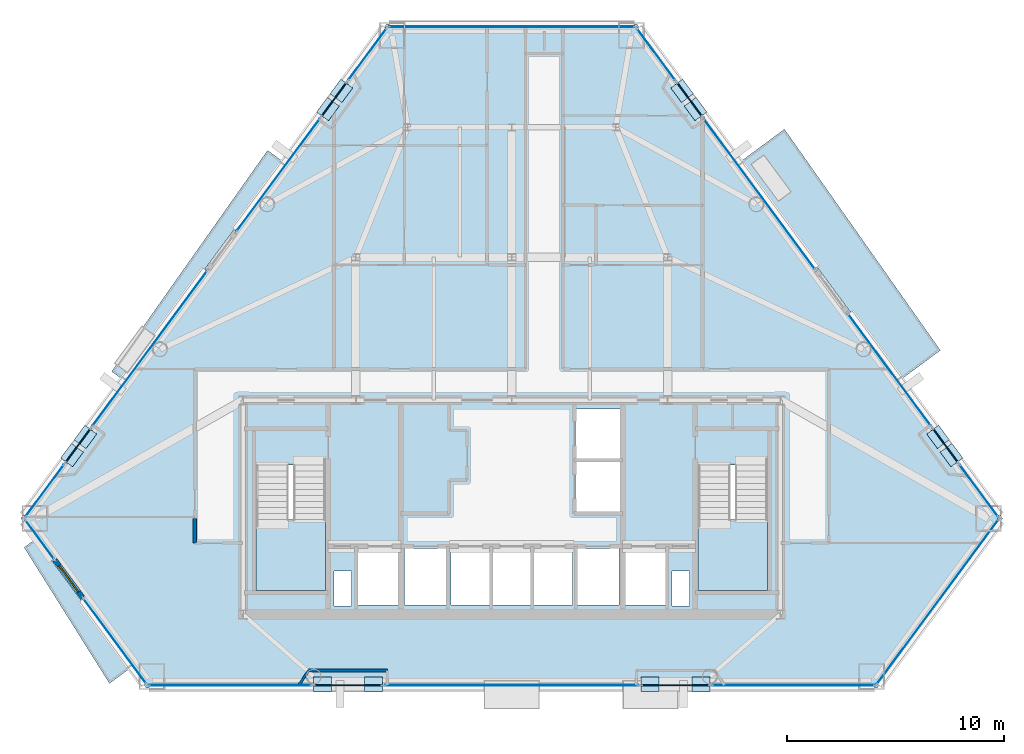
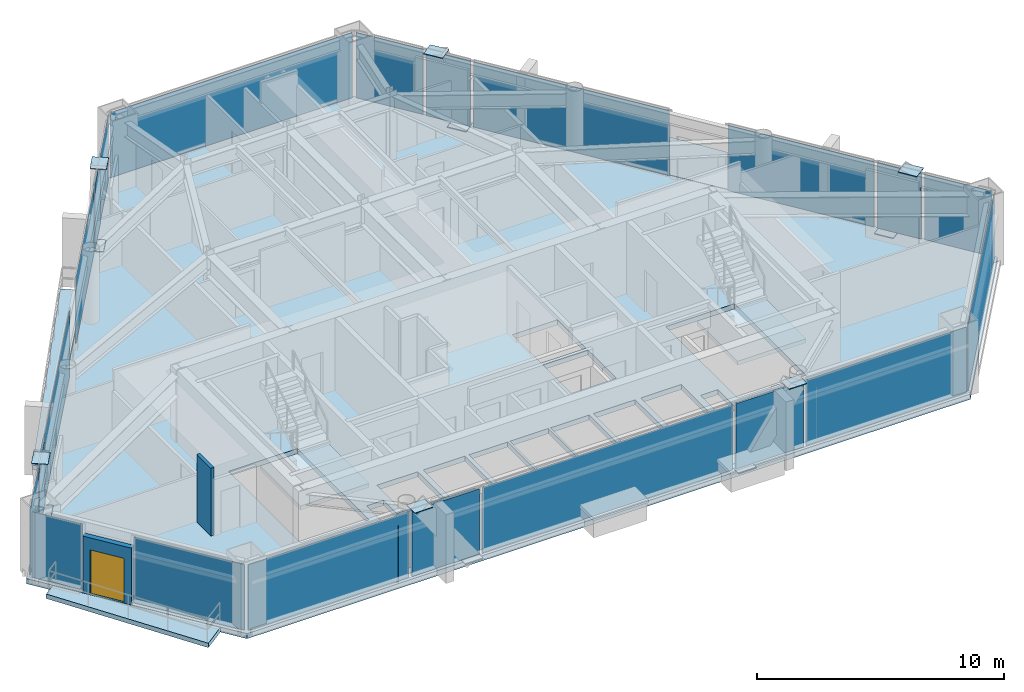
# One storey, part 6 of 11: 33 plates, 6 slabs, 4 walls, 1 door, 1 opening, 23 elements without a shape of their own.
"""IFC4 building model written with IfcOpenShell, lengths in metres."""

from ifc_helpers import new_model, si_unit, direction, frame, frame_2d, origin, origin_2d, place, context, subcontext, project, spatial, polyline, rectangle, outline, extrude, source, transform, mapped, material, layer, layer_set, type_object, type_shapes, element, fill, aggregate, save


model = new_model("IFC4")

# Units and contexts
model_context = context("Model", 3, precision=1e-05, world=origin(), true_north=direction((0.0, 1.0)))
body_context = subcontext(model_context, "Body", "Model", "MODEL_VIEW")
ifc_project = project(units=[si_unit("LENGTHUNIT", "METRE"), si_unit("AREAUNIT", "SQUARE_METRE"), si_unit("VOLUMEUNIT", "CUBIC_METRE"), si_unit("PLANEANGLEUNIT", "RADIAN"), si_unit("MASSUNIT", "GRAM", prefix="KILO")], contexts=[model_context])

# Site, building, storey
site_placement = place(None, origin())
site = spatial("IfcSite", under=ifc_project, at=site_placement, CompositionType="ELEMENT")
building_placement = place(site_placement, origin())
building = spatial("IfcBuilding", under=site, at=building_placement, Name="Talgorran Terracotta Tower", CompositionType="ELEMENT")
storey_placement = place(building_placement, frame((0.0, 0.0, 122.10009765625)))
storey = spatial("IfcBuildingStorey", under=building, at=storey_placement, Name="L31", CompositionType="ELEMENT", Elevation=122.10009765625)

# Plates
ifc_material_1 = material(Name="Steel Grade 350 (350L0)", Category="steel")
ifc_layer_1 = layer(ifc_material_1, 0.035888671875, Name="PL_CAP_MN06")
ifc_layer_set_1 = layer_set([ifc_layer_1], Name="Steel Grade 350 (350L0)")
plate_type_1 = type_object("IfcPlateType", Name="PL_CAP_MN06", PredefinedType="USERDEFINED", material=ifc_layer_set_1)
for number, where, z_axis, x_axis, name in (
    (1, (-6.3837890625, -17.3232421875, -0.0078125), (0.0, 0.0, 1.0), (-1.0, 0.0, 0.0), "L31 Diagonal Frame End Cap SWF Bot"),
    (2, (-8.73583984375, -17.3232421875, 3.32177734375), (0.0, 0.0, 1.0), (-1.0, 0.0, 0.0), "L31 Diagonal Frame End Cap SWF Top"),
    (3, (6.3837890625, -17.3232421875, -0.0078125), (0.0, 0.0, 1.0), (1.0, 0.0, 0.0), "L31 Diagonal Frame End Cap SEF Bot"),
    (4, (8.73583984375, -17.3232421875, 3.32177734375), (0.0, 0.0, 1.0), (1.0, 0.0, 0.0), "L31 Diagonal Frame End Cap SEF Top"),
    (5, (19.683837890625, -5.899658203125, -0.0078125), (0.0, 0.0, 1.0), (0.594682478203, -0.803960664534, 0.0), "L31 Diagonal Frame End Cap NEL Bot"),
    (6, (20.303955078125, -6.73828125, 3.32177734375), (0.0, 0.0, 1.0), (0.594682478203, -0.803960664534, 0.0), "L31 Diagonal Frame End Cap NEL Top"),
    (7, (8.486572265625, 9.23974609375, -0.0078125), (0.0, 0.0, 1.0), (-0.594682478203, 0.803960664534, 0.0), "L31 Diagonal Frame End Cap NEU Bot"),
    (8, (7.8662109375, 10.078369140625, 3.32177734375), (0.0, 0.0, 1.0), (-0.594682478203, 0.803960664534, 0.0), "L31 Diagonal Frame End Cap NEU Top"),
    (9, (-8.486572265625, 9.23974609375, -0.0078125), (0.0, 0.0, 1.0), (0.594682478203, 0.803960664534, 0.0), "L31 Diagonal Frame End Cap NWU Bot"),
    (10, (-7.8662109375, 10.078369140625, 3.32177734375), (0.0, 0.0, 1.0), (0.594682478203, 0.803960664534, 0.0), "L31 Diagonal Frame End Cap NWU Top"),
    (11, (-19.683837890625, -5.899658203125, -0.0078125), (0.0, 0.0, 1.0), (-0.594682478203, -0.803960664534, 0.0), "L31 Diagonal Frame End Cap NWL Bot"),
    (12, (-20.303955078125, -6.73828125, 3.32177734375), (0.0, 0.0, 1.0), (-0.594682478203, -0.803960664534, 0.0), "L31 Diagonal Frame End Cap NWL Top"),
):
    element("IfcPlate", number, at=place(storey_placement, frame(where, z_axis=z_axis, x_axis=x_axis)), inside=storey, type_object=plate_type_1, Name=name, ObjectType="CAP PLATE", PredefinedType="USERDEFINED", context=body_context, shape_type="SweptSolid", body=[
        extrude(rectangle(XDim=0.840087890625, YDim=0.679931640625, at=origin_2d()), origin(), (0.0, 0.0, 1.0), 0.035888671875),
    ])

# Slabs
ifc_material_2 = material(Name="Concrete C40/50", Category="concrete")
ifc_layer_2 = layer(ifc_material_2, 0.219970703125, Name="SL_BALCONY_220")
ifc_layer_set_2 = layer_set([ifc_layer_2], Name="Concrete C40/50")
slab_type_1 = type_object("IfcSlabType", Name="SL_BALCONY_220", PredefinedType="FLOOR", material=ifc_layer_set_2)
slab_1_placement = place(storey_placement, frame((0.0, 0.0, -0.22021484375)))
element("IfcSlab", 13, at=slab_1_placement, inside=storey, type_object=slab_type_1, Name="L31 Outdoor Wave Balcony BAL-NE", PredefinedType="FLOOR", context=body_context, shape_type="SweptSolid", body=[
    extrude(outline(polyline([(10.523193359375, 6.780029296875), (17.95068359375, -3.26220703125), (19.789794921875, -1.902099609375), (12.58984375, 8.30859375), (10.523193359375, 6.780029296875)])), origin(), (0.0, 0.0, 1.0), 0.22021484375),
])
slab_2_placement = place(storey_placement, frame((0.0, 0.0, -0.22021484375)))
element("IfcSlab", 14, at=slab_2_placement, inside=storey, type_object=slab_type_1, Name="L31 Outdoor Wave Balcony BAL-NW", PredefinedType="FLOOR", context=body_context, shape_type="SweptSolid", body=[
    extrude(outline(polyline([(-17.95068359375, -3.26220703125), (-10.523193359375, 6.780029296875), (-11.273193359375, 7.334716796875), (-18.47314453125, -2.8759765625), (-17.95068359375, -3.26220703125)])), origin(), (0.0, 0.0, 1.0), 0.22021484375),
])
slab_3_placement = place(storey_placement, frame((0.0, 0.0, -0.22021484375)))
element("IfcSlab", 15, at=slab_3_placement, inside=storey, type_object=slab_type_1, Name="L31 Outdoor Wave Balcony BAL-SW", PredefinedType="FLOOR", context=body_context, shape_type="SweptSolid", body=[
    extrude(outline(polyline([(-17.586669921875, -16.5537109375), (-21.983154296875, -10.609375), (-22.51513671875, -11.0029296875), (-18.573486328125, -17.283447265625), (-17.586669921875, -16.5537109375)])), origin(), (0.0, 0.0, 1.0), 0.22021484375),
])

# Stair, slab
stair_type = type_object("IfcStairType", Name="ST_FIRE_SCISSOR", PredefinedType="HALF_TURN_STAIR", material=ifc_material_2)
stair_1_placement = place(storey_placement, origin())
stair_1 = element("IfcStair", 16, at=stair_1_placement, inside=storey, type_object=stair_type, Name="L31 West Protected Fire Stair ST-01", PredefinedType="HALF_TURN_STAIR")
ifc_layer_3 = layer(ifc_material_2, 0.199951171875, Name="SL_LANDING_200")
ifc_layer_set_3 = layer_set([ifc_layer_3], Name="Concrete C40/50")
slab_type_2 = type_object("IfcSlabType", Name="SL_LANDING_200", PredefinedType="LANDING", material=ifc_layer_set_3)
slab_4_placement = place(storey_placement, frame((0.0, 0.0, 1.599853515625)))
slab_4 = element("IfcSlab", 17, at=slab_4_placement, type_object=slab_type_2, Name="ST-01 landing 1", PredefinedType="LANDING", context=body_context, shape_type="SweptSolid", body=[
    extrude(outline(polyline([(-11.800048828125, -9.719970703125), (-11.800048828125, -13.0), (-8.60009765625, -13.0), (-8.60009765625, -9.719970703125), (-11.800048828125, -9.719970703125)])), origin(), (0.0, 0.0, 1.0), 0.199951171875),
])
aggregate(stair_1, [slab_4])

stair_2_placement = place(storey_placement, origin())
stair_2 = element("IfcStair", 18, at=stair_2_placement, inside=storey, type_object=stair_type, Name="L31 East Protected Fire Stair ST-02", PredefinedType="HALF_TURN_STAIR")
slab_5_placement = place(storey_placement, frame((0.0, 0.0, 1.599853515625)))
slab_5 = element("IfcSlab", 19, at=slab_5_placement, type_object=slab_type_2, Name="ST-02 landing 1", PredefinedType="LANDING", context=body_context, shape_type="SweptSolid", body=[
    extrude(outline(polyline([(8.60009765625, -9.719970703125), (8.60009765625, -13.0), (11.800048828125, -13.0), (11.800048828125, -9.719970703125), (8.60009765625, -9.719970703125)])), origin(), (0.0, 0.0, 1.0), 0.199951171875),
])
aggregate(stair_2, [slab_5])

# Slab
ifc_layer_4 = layer(ifc_material_2, 0.25, Name="SL_TOWER_250")
ifc_layer_set_4 = layer_set([ifc_layer_4], Name="Concrete C40/50")
slab_type_3 = type_object("IfcSlabType", Name="SL_TOWER_250", PredefinedType="FLOOR", material=ifc_layer_set_4)
slab_6_placement = place(storey_placement, frame((0.0, 0.0, -0.25)))
element("IfcSlab", 20, at=slab_6_placement, inside=storey, type_object=slab_type_3, Name="Storey L31 Structural Floor Slab", PredefinedType="FLOOR", context=body_context, shape_type="SweptSolid", body=[
    extrude(outline(polyline([(-22.665283203125, -9.661865234375), (-16.880615234375, -17.4833984375), (16.880615234375, -17.4833984375), (22.665283203125, -9.661865234375), (5.78466796875, 13.161865234375), (-5.78466796875, 13.161865234375), (-22.665283203125, -9.661865234375)]), holes=[polyline([(-11.800048828125, -7.199951171875), (-11.800048828125, -13.0), (-8.60009765625, -13.0), (-8.60009765625, -7.199951171875), (-11.800048828125, -7.199951171875)]), polyline([(8.60009765625, -7.199951171875), (8.60009765625, -13.0), (11.800048828125, -13.0), (11.800048828125, -7.199951171875), (8.60009765625, -7.199951171875)]), polyline([(-7.10009765625, -13.64990234375), (-5.199951171875, -13.64990234375), (-5.199951171875, -11.050048828125), (-7.10009765625, -11.050048828125), (-7.10009765625, -13.64990234375)]), polyline([(5.199951171875, -13.64990234375), (7.10009765625, -13.64990234375), (7.10009765625, -11.050048828125), (5.199951171875, -11.050048828125), (5.199951171875, -13.64990234375)]), polyline([(3.0, -13.64990234375), (4.949951171875, -13.64990234375), (4.949951171875, -11.050048828125), (3.0, -11.050048828125), (3.0, -13.64990234375)]), polyline([(-4.949951171875, -13.64990234375), (-3.0, -13.64990234375), (-3.0, -11.050048828125), (-4.949951171875, -11.050048828125), (-4.949951171875, -13.64990234375)]), polyline([(2.949951171875, -9.35009765625), (5.050048828125, -9.35009765625), (5.050048828125, -7.050048828125), (2.949951171875, -7.050048828125), (2.949951171875, -9.35009765625)]), polyline([(2.949951171875, -6.89990234375), (5.050048828125, -6.89990234375), (5.050048828125, -4.60009765625), (2.949951171875, -4.60009765625), (2.949951171875, -6.89990234375)]), polyline([(-2.800048828125, -13.64990234375), (-1.0, -13.64990234375), (-1.0, -11.050048828125), (-2.800048828125, -11.050048828125), (-2.800048828125, -13.64990234375)]), polyline([(-0.89990234375, -13.64990234375), (0.89990234375, -13.64990234375), (0.89990234375, -11.050048828125), (-0.89990234375, -11.050048828125), (-0.89990234375, -13.64990234375)]), polyline([(1.0, -13.64990234375), (2.800048828125, -13.64990234375), (2.800048828125, -11.050048828125), (1.0, -11.050048828125), (1.0, -13.64990234375)]), polyline([(-8.199951171875, -13.699951171875), (-7.39990234375, -13.699951171875), (-7.39990234375, -12.10009765625), (-8.199951171875, -12.10009765625), (-8.199951171875, -13.699951171875)]), polyline([(7.39990234375, -13.699951171875), (8.199951171875, -13.699951171875), (8.199951171875, -12.10009765625), (7.39990234375, -12.10009765625), (7.39990234375, -13.699951171875)])]), origin(), (0.0, 0.0, 1.0), 0.25),
])

# Curtain wall, plate
ifc_material_3 = material(Name="Unitised Low-E Double Glazing", Category="glass")
ifc_layer_5 = layer(ifc_material_3, 0.199951171875, Name="CW_SYS2_RES_LOW")
ifc_layer_set_5 = layer_set([ifc_layer_5], Name="Unitised Low-E Double Glazing")
curtain_wall_type = type_object("IfcCurtainWallType", Name="CW_SYS2_RES_LOW", PredefinedType="NOTDEFINED", material=ifc_layer_set_5)
curtain_wall_1_placement = place(storey_placement, origin())
curtain_wall_1 = element("IfcCurtainWall", 21, at=curtain_wall_1_placement, inside=storey, type_object=curtain_wall_type, Name="CW-L31-F10", PredefinedType="NOTDEFINED")
ifc_material_4 = material(Name="Low-E Laminated Vision Glass", Category="glass")
ifc_layer_6 = layer(ifc_material_4, 0.028076171875, Name="PLT_VISION_28")
ifc_layer_set_6 = layer_set([ifc_layer_6], Name="Low-E Laminated Vision Glass")
plate_type_2 = type_object("IfcPlateType", Name="PLT_VISION_28", PredefinedType="CURTAIN_PANEL", material=ifc_layer_set_6)
shared_shape_1 = source(origin(), body_context, "Body", "SweptSolid", [
    extrude(rectangle(XDim=2.217529296875, YDim=0.028076171875, at=origin_2d()), origin(), (0.0, 0.0, 1.0), 3.219970703125),
])
plate_1_placement = place(storey_placement, frame((-21.794189453125, -10.6376953125, 0.06494140625), z_axis=(0.0, 0.0, 1.0), x_axis=(0.594649753428, -0.803984869726, 0.0)))
plate_1 = element("IfcPlate", 22, at=plate_1_placement, type_object=plate_type_2, Name="CW-L31-10 panel 1.1", PredefinedType="CURTAIN_PANEL", context=body_context, shape_type="MappedRepresentation", body=[
    mapped(shared_shape_1, transform((0.0, 0.0, 0.0), scale=1.0)),
])
aggregate(curtain_wall_1, [plate_1])

curtain_wall_2_placement = place(storey_placement, origin())
curtain_wall_2 = element("IfcCurtainWall", 23, at=curtain_wall_2_placement, inside=storey, type_object=curtain_wall_type, Name="CW-L31-F11", PredefinedType="NOTDEFINED")
shared_shape_2 = source(origin(), body_context, "Body", "SweptSolid", [
    extrude(rectangle(XDim=4.861328125, YDim=0.028076171875, at=origin_2d()), origin(), (0.0, 0.0, 1.0), 3.219970703125),
])
plate_2_placement = place(storey_placement, frame((-18.327880859375, -15.32470703125, 0.06494140625), z_axis=(0.0, 0.0, 1.0), x_axis=(0.594646214814, -0.803987486972, 0.0)))
plate_2 = element("IfcPlate", 24, at=plate_2_placement, type_object=plate_type_2, Name="CW-L31-11 panel 1.1", PredefinedType="CURTAIN_PANEL", context=body_context, shape_type="MappedRepresentation", body=[
    mapped(shared_shape_2, transform((0.0, 0.0, 0.0), scale=1.0)),
])
aggregate(curtain_wall_2, [plate_2])

curtain_wall_3_placement = place(storey_placement, origin())
curtain_wall_3 = element("IfcCurtainWall", 25, at=curtain_wall_3_placement, inside=storey, type_object=curtain_wall_type, Name="CW-L31-F1", PredefinedType="NOTDEFINED")
shared_shape_3 = source(origin(), body_context, "Body", "SweptSolid", [
    extrude(rectangle(XDim=7.478515625, YDim=0.028076171875, at=origin_2d()), origin(), (0.0, 0.0, 1.0), 3.219970703125),
])
plate_3_placement = place(storey_placement, frame((-13.015869140625, -17.36328125, 0.06494140625), z_axis=(0.0, 0.0, 1.0), x_axis=(1.0, 0.0, 0.0)))
plate_3 = element("IfcPlate", 26, at=plate_3_placement, type_object=plate_type_2, Name="CW-L31-1 panel 1.1", PredefinedType="CURTAIN_PANEL", context=body_context, shape_type="MappedRepresentation", body=[
    mapped(shared_shape_3, transform((0.0, 0.0, 0.0), scale=1.0)),
])
aggregate(curtain_wall_3, [plate_3])

curtain_wall_4_placement = place(storey_placement, origin())
curtain_wall_4 = element("IfcCurtainWall", 27, at=curtain_wall_4_placement, inside=storey, type_object=curtain_wall_type, Name="CW-L31-F1E", PredefinedType="NOTDEFINED")
plate_4_placement = place(storey_placement, frame((13.015869140625, -17.36328125, 0.06494140625), z_axis=(0.0, 0.0, 1.0), x_axis=(1.0, 0.0, 0.0)))
plate_4 = element("IfcPlate", 28, at=plate_4_placement, type_object=plate_type_2, Name="CW-L31-1E panel 1.1", PredefinedType="CURTAIN_PANEL", context=body_context, shape_type="MappedRepresentation", body=[
    mapped(shared_shape_3, transform((0.0, 0.0, 0.0), scale=1.0)),
])
aggregate(curtain_wall_4, [plate_4])

curtain_wall_5_placement = place(storey_placement, origin())
curtain_wall_5 = element("IfcCurtainWall", 29, at=curtain_wall_5_placement, inside=storey, type_object=curtain_wall_type, Name="CW-L31-F1B", PredefinedType="NOTDEFINED")
ifc_material_5 = material(Name="Terracotta Insulated Spandrel", Category="masonry")
ifc_layer_7 = layer(ifc_material_5, 0.06494140625, Name="PLT_SPANDREL_TERRA")
ifc_layer_set_7 = layer_set([ifc_layer_7], Name="Terracotta Insulated Spandrel")
plate_type_3 = type_object("IfcPlateType", Name="PLT_SPANDREL_TERRA", PredefinedType="SHEET", material=ifc_layer_set_7)
shared_shape_4 = source(origin(), body_context, "Body", "SweptSolid", [
    extrude(rectangle(XDim=3.1533203125, YDim=0.06494140625, at=origin_2d()), origin(), (0.0, 0.0, 1.0), 3.219970703125),
])
plate_5_placement = place(storey_placement, frame((-7.559814453125, -17.36328125, 0.06494140625), z_axis=(0.0, 0.0, 1.0), x_axis=(1.0, 0.0, 0.0)))
plate_5 = element("IfcPlate", 30, at=plate_5_placement, type_object=plate_type_3, Name="CW-L31-1B panel 1.1", PredefinedType="CURTAIN_PANEL", context=body_context, shape_type="MappedRepresentation", body=[
    mapped(shared_shape_4, transform((0.0, 0.0, 0.0), scale=1.0)),
])
aggregate(curtain_wall_5, [plate_5])

curtain_wall_6_placement = place(storey_placement, origin())
curtain_wall_6 = element("IfcCurtainWall", 31, at=curtain_wall_6_placement, inside=storey, type_object=curtain_wall_type, Name="CW-L31-F1D", PredefinedType="NOTDEFINED")
plate_6_placement = place(storey_placement, frame((7.559814453125, -17.36328125, 0.06494140625), z_axis=(0.0, 0.0, 1.0), x_axis=(1.0, 0.0, 0.0)))
plate_6 = element("IfcPlate", 32, at=plate_6_placement, type_object=plate_type_3, Name="CW-L31-1D panel 1.1", PredefinedType="CURTAIN_PANEL", context=body_context, shape_type="MappedRepresentation", body=[
    mapped(shared_shape_4, transform((0.0, 0.0, 0.0), scale=1.0)),
])
aggregate(curtain_wall_6, [plate_6])

curtain_wall_7_placement = place(storey_placement, origin())
curtain_wall_7 = element("IfcCurtainWall", 33, at=curtain_wall_7_placement, inside=storey, type_object=curtain_wall_type, Name="CW-L31-F1C", PredefinedType="NOTDEFINED")
shared_shape_5 = source(origin(), body_context, "Body", "SweptSolid", [
    extrude(rectangle(XDim=11.686279296875, YDim=0.028076171875, at=origin_2d()), origin(), (0.0, 0.0, 1.0), 3.219970703125),
])
plate_7_placement = place(storey_placement, frame((0.0, -17.36328125, 0.06494140625), z_axis=(0.0, 0.0, 1.0), x_axis=(1.0, 0.0, 0.0)))
plate_7 = element("IfcPlate", 34, at=plate_7_placement, type_object=plate_type_2, Name="CW-L31-1C panel 1.1", PredefinedType="CURTAIN_PANEL", context=body_context, shape_type="MappedRepresentation", body=[
    mapped(shared_shape_5, transform((0.0, 0.0, 0.0), scale=1.0)),
])
aggregate(curtain_wall_7, [plate_7])

curtain_wall_8_placement = place(storey_placement, origin())
curtain_wall_8 = element("IfcCurtainWall", 35, at=curtain_wall_8_placement, inside=storey, type_object=curtain_wall_type, Name="CW-L31-F2", PredefinedType="NOTDEFINED")
shared_shape_6 = source(origin(), body_context, "Body", "SweptSolid", [
    extrude(rectangle(XDim=9.448974609375, YDim=0.028076171875, at=origin_2d()), origin(), (0.0, 0.0, 1.0), 3.219970703125),
])
plate_8_placement = place(storey_placement, frame((19.66796875, -13.5126953125, 0.06494140625), z_axis=(0.0, 0.0, 1.0), x_axis=(0.594638188027, 0.803993423692, 0.0)))
plate_8 = element("IfcPlate", 36, at=plate_8_placement, type_object=plate_type_2, Name="CW-L31-2 panel 1.1", PredefinedType="CURTAIN_PANEL", context=body_context, shape_type="MappedRepresentation", body=[
    mapped(shared_shape_6, transform((0.0, 0.0, 0.0), scale=1.0)),
])
aggregate(curtain_wall_8, [plate_8])

curtain_wall_9_placement = place(storey_placement, origin())
curtain_wall_9 = element("IfcCurtainWall", 37, at=curtain_wall_9_placement, inside=storey, type_object=curtain_wall_type, Name="CW-L31-F40", PredefinedType="NOTDEFINED")
shared_shape_7 = source(origin(), body_context, "Body", "SweptSolid", [
    extrude(rectangle(XDim=2.968017578125, YDim=0.028076171875, at=origin_2d()), origin(), (0.0, 0.0, 1.0), 3.219970703125),
])
plate_9_placement = place(storey_placement, frame((21.571044921875, -8.38427734375, 0.06494140625), z_axis=(0.0, 0.0, 1.0), x_axis=(-0.594636082403, 0.803994981019, 0.0)))
plate_9 = element("IfcPlate", 38, at=plate_9_placement, type_object=plate_type_2, Name="CW-L31-40 panel 1.1", PredefinedType="CURTAIN_PANEL", context=body_context, shape_type="MappedRepresentation", body=[
    mapped(shared_shape_7, transform((0.0, 0.0, 0.0), scale=1.0)),
])
aggregate(curtain_wall_9, [plate_9])

curtain_wall_10_placement = place(storey_placement, origin())
curtain_wall_10 = element("IfcCurtainWall", 39, at=curtain_wall_10_placement, inside=storey, type_object=curtain_wall_type, Name="CW-L31-F61C", PredefinedType="NOTDEFINED")
plate_10_placement = place(storey_placement, frame((-21.571044921875, -8.38427734375, 0.06494140625), z_axis=(0.0, 0.0, 1.0), x_axis=(-0.594636082403, -0.803994981019, 0.0)))
plate_10 = element("IfcPlate", 40, at=plate_10_placement, type_object=plate_type_2, Name="CW-L31-61C panel 1.1", PredefinedType="CURTAIN_PANEL", context=body_context, shape_type="MappedRepresentation", body=[
    mapped(shared_shape_7, transform((0.0, 0.0, 0.0), scale=1.0)),
])
aggregate(curtain_wall_10, [plate_10])

curtain_wall_11_placement = place(storey_placement, origin())
curtain_wall_11 = element("IfcCurtainWall", 41, at=curtain_wall_11_placement, inside=storey, type_object=curtain_wall_type, Name="CW-L31-F40B", PredefinedType="NOTDEFINED")
shared_shape_8 = source(origin(), body_context, "Body", "SweptSolid", [
    extrude(rectangle(XDim=1.94873046875, YDim=0.06494140625, at=origin_2d()), origin(), (0.0, 0.0, 1.0), 3.219970703125),
])
type_shapes(plate_type_3, [shared_shape_4, shared_shape_8])
plate_11_placement = place(storey_placement, frame((20.026123046875, -6.295166015625, 0.06494140625), z_axis=(0.0, 0.0, 1.0), x_axis=(-0.594637208485, 0.803994148166, 0.0)))
plate_11 = element("IfcPlate", 42, at=plate_11_placement, type_object=plate_type_3, Name="CW-L31-40B panel 1.1", PredefinedType="CURTAIN_PANEL", context=body_context, shape_type="MappedRepresentation", body=[
    mapped(shared_shape_8, transform((0.0, 0.0, 0.0), scale=1.0)),
])
aggregate(curtain_wall_11, [plate_11])

curtain_wall_12_placement = place(storey_placement, origin())
curtain_wall_12 = element("IfcCurtainWall", 43, at=curtain_wall_12_placement, inside=storey, type_object=curtain_wall_type, Name="CW-L31-F41B", PredefinedType="NOTDEFINED")
plate_12_placement = place(storey_placement, frame((8.20849609375, 9.682861328125, 0.06494140625), z_axis=(0.0, 0.0, 1.0), x_axis=(-0.594637208485, 0.803994148166, 0.0)))
plate_12 = element("IfcPlate", 44, at=plate_12_placement, type_object=plate_type_3, Name="CW-L31-41B panel 1.1", PredefinedType="CURTAIN_PANEL", context=body_context, shape_type="MappedRepresentation", body=[
    mapped(shared_shape_8, transform((0.0, 0.0, 0.0), scale=1.0)),
])
aggregate(curtain_wall_12, [plate_12])

curtain_wall_13_placement = place(storey_placement, origin())
curtain_wall_13 = element("IfcCurtainWall", 45, at=curtain_wall_13_placement, inside=storey, type_object=curtain_wall_type, Name="CW-L31-F60B", PredefinedType="NOTDEFINED")
plate_13_placement = place(storey_placement, frame((-8.20849609375, 9.682861328125, 0.06494140625), z_axis=(0.0, 0.0, 1.0), x_axis=(-0.594637208485, -0.803994148166, 0.0)))
plate_13 = element("IfcPlate", 46, at=plate_13_placement, type_object=plate_type_3, Name="CW-L31-60B panel 1.1", PredefinedType="CURTAIN_PANEL", context=body_context, shape_type="MappedRepresentation", body=[
    mapped(shared_shape_8, transform((0.0, 0.0, 0.0), scale=1.0)),
])
aggregate(curtain_wall_13, [plate_13])

curtain_wall_14_placement = place(storey_placement, origin())
curtain_wall_14 = element("IfcCurtainWall", 47, at=curtain_wall_14_placement, inside=storey, type_object=curtain_wall_type, Name="CW-L31-F61B", PredefinedType="NOTDEFINED")
plate_14_placement = place(storey_placement, frame((-20.026123046875, -6.295166015625, 0.06494140625), z_axis=(0.0, 0.0, 1.0), x_axis=(-0.594637208485, -0.803994148166, 0.0)))
plate_14 = element("IfcPlate", 48, at=plate_14_placement, type_object=plate_type_3, Name="CW-L31-61B panel 1.1", PredefinedType="CURTAIN_PANEL", context=body_context, shape_type="MappedRepresentation", body=[
    mapped(shared_shape_8, transform((0.0, 0.0, 0.0), scale=1.0)),
])
aggregate(curtain_wall_14, [plate_14])

curtain_wall_15_placement = place(storey_placement, origin())
curtain_wall_15 = element("IfcCurtainWall", 49, at=curtain_wall_15_placement, inside=storey, type_object=curtain_wall_type, Name="CW-L31-F40C", PredefinedType="NOTDEFINED")
shared_shape_9 = source(origin(), body_context, "Body", "SweptSolid", [
    extrude(rectangle(XDim=6.433837890625, YDim=0.028076171875, at=origin_2d()), origin(), (0.0, 0.0, 1.0), 3.219970703125),
])
plate_15_placement = place(storey_placement, frame((17.450439453125, -2.81298828125, 0.06494140625), z_axis=(0.0, 0.0, 1.0), x_axis=(-0.594636059474, 0.803994997978, 0.0)))
plate_15 = element("IfcPlate", 50, at=plate_15_placement, type_object=plate_type_2, Name="CW-L31-40C panel 1.1", PredefinedType="CURTAIN_PANEL", context=body_context, shape_type="MappedRepresentation", body=[
    mapped(shared_shape_9, transform((0.0, 0.0, 0.0), scale=1.0)),
])
aggregate(curtain_wall_15, [plate_15])

curtain_wall_16_placement = place(storey_placement, origin())
curtain_wall_16 = element("IfcCurtainWall", 51, at=curtain_wall_16_placement, inside=storey, type_object=curtain_wall_type, Name="CW-L31-F41", PredefinedType="NOTDEFINED")
shared_shape_10 = source(origin(), body_context, "Body", "SweptSolid", [
    extrude(rectangle(XDim=8.620849609375, YDim=0.028076171875, at=origin_2d()), origin(), (0.0, 0.0, 1.0), 3.219970703125),
])
plate_16_placement = place(storey_placement, frame((11.434326171875, 5.3212890625, 0.06494140625), z_axis=(0.0, 0.0, 1.0), x_axis=(-0.594632982692, 0.803997273561, 0.0)))
plate_16 = element("IfcPlate", 52, at=plate_16_placement, type_object=plate_type_2, Name="CW-L31-41 panel 1.1", PredefinedType="CURTAIN_PANEL", context=body_context, shape_type="MappedRepresentation", body=[
    mapped(shared_shape_10, transform((0.0, 0.0, 0.0), scale=1.0)),
])
aggregate(curtain_wall_16, [plate_16])

curtain_wall_17_placement = place(storey_placement, origin())
curtain_wall_17 = element("IfcCurtainWall", 53, at=curtain_wall_17_placement, inside=storey, type_object=curtain_wall_type, Name="CW-L31-F41C", PredefinedType="NOTDEFINED")
shared_shape_11 = source(origin(), body_context, "Body", "SweptSolid", [
    extrude(rectangle(XDim=2.95849609375, YDim=0.028076171875, at=origin_2d()), origin(), (0.0, 0.0, 1.0), 3.219970703125),
])
plate_17_placement = place(storey_placement, frame((6.666259765625, 11.76806640625, 0.06494140625), z_axis=(0.0, 0.0, 1.0), x_axis=(-0.594640471843, 0.803991734564, 0.0)))
plate_17 = element("IfcPlate", 54, at=plate_17_placement, type_object=plate_type_2, Name="CW-L31-41C panel 1.1", PredefinedType="CURTAIN_PANEL", context=body_context, shape_type="MappedRepresentation", body=[
    mapped(shared_shape_11, transform((0.0, 0.0, 0.0), scale=1.0)),
])
aggregate(curtain_wall_17, [plate_17])

curtain_wall_18_placement = place(storey_placement, origin())
curtain_wall_18 = element("IfcCurtainWall", 55, at=curtain_wall_18_placement, inside=storey, type_object=curtain_wall_type, Name="CW-L31-F60", PredefinedType="NOTDEFINED")
plate_18_placement = place(storey_placement, frame((-6.666259765625, 11.76806640625, 0.06494140625), z_axis=(0.0, 0.0, 1.0), x_axis=(-0.594640471843, -0.803991734564, 0.0)))
plate_18 = element("IfcPlate", 56, at=plate_18_placement, type_object=plate_type_2, Name="CW-L31-60 panel 1.1", PredefinedType="CURTAIN_PANEL", context=body_context, shape_type="MappedRepresentation", body=[
    mapped(shared_shape_11, transform((0.0, 0.0, 0.0), scale=1.0)),
])
aggregate(curtain_wall_18, [plate_18])

curtain_wall_19_placement = place(storey_placement, origin())
curtain_wall_19 = element("IfcCurtainWall", 57, at=curtain_wall_19_placement, inside=storey, type_object=curtain_wall_type, Name="CW-L31-F4", PredefinedType="NOTDEFINED")
shared_shape_12 = source(origin(), body_context, "Body", "SweptSolid", [
    extrude(rectangle(XDim=11.318359375, YDim=0.028076171875, at=origin_2d()), origin(), (0.0, 0.0, 1.0), 3.219970703125),
])
plate_19_placement = place(storey_placement, frame((0.0, 13.0419921875, 0.06494140625), z_axis=(0.0, 0.0, 1.0), x_axis=(-1.0, 0.0, 0.0)))
plate_19 = element("IfcPlate", 58, at=plate_19_placement, type_object=plate_type_2, Name="CW-L31-4 panel 1.1", PredefinedType="CURTAIN_PANEL", context=body_context, shape_type="MappedRepresentation", body=[
    mapped(shared_shape_12, transform((0.0, 0.0, 0.0), scale=1.0)),
])
aggregate(curtain_wall_19, [plate_19])

curtain_wall_20_placement = place(storey_placement, origin())
curtain_wall_20 = element("IfcCurtainWall", 59, at=curtain_wall_20_placement, inside=storey, type_object=curtain_wall_type, Name="CW-L31-F60C", PredefinedType="NOTDEFINED")
shared_shape_13 = source(origin(), body_context, "Body", "SweptSolid", [
    extrude(rectangle(XDim=6.44970703125, YDim=0.028076171875, at=origin_2d()), origin(), (0.0, 0.0, 1.0), 3.219970703125),
])
plate_20_placement = place(storey_placement, frame((-10.788818359375, 6.194091796875, 0.06494140625), z_axis=(0.0, 0.0, 1.0), x_axis=(-0.594636752925, -0.8039944851, 0.0)))
plate_20 = element("IfcPlate", 60, at=plate_20_placement, type_object=plate_type_2, Name="CW-L31-60C panel 1.1", PredefinedType="CURTAIN_PANEL", context=body_context, shape_type="MappedRepresentation", body=[
    mapped(shared_shape_13, transform((0.0, 0.0, 0.0), scale=1.0)),
])
aggregate(curtain_wall_20, [plate_20])

curtain_wall_21_placement = place(storey_placement, origin())
curtain_wall_21 = element("IfcCurtainWall", 61, at=curtain_wall_21_placement, inside=storey, type_object=curtain_wall_type, Name="CW-L31-F61", PredefinedType="NOTDEFINED")
shared_shape_14 = source(origin(), body_context, "Body", "SweptSolid", [
    extrude(rectangle(XDim=8.905029296875, YDim=0.028076171875, at=origin_2d()), origin(), (0.0, 0.0, 1.0), 3.219970703125),
])
type_shapes(plate_type_2, [shared_shape_1, shared_shape_2, shared_shape_3, shared_shape_5, shared_shape_6, shared_shape_7, shared_shape_9, shared_shape_10, shared_shape_11, shared_shape_12, shared_shape_13, shared_shape_14])
plate_21_placement = place(storey_placement, frame((-16.7158203125, -1.819580078125, 0.06494140625), z_axis=(0.0, 0.0, 1.0), x_axis=(-0.594633152007, -0.803997148337, 0.0)))
plate_21 = element("IfcPlate", 62, at=plate_21_placement, type_object=plate_type_2, Name="CW-L31-61 panel 1.1", PredefinedType="CURTAIN_PANEL", context=body_context, shape_type="MappedRepresentation", body=[
    mapped(shared_shape_14, transform((0.0, 0.0, 0.0), scale=1.0)),
])
aggregate(curtain_wall_21, [plate_21])

# Wall, opening, door
ifc_layer_8 = layer(ifc_material_2, 0.239990234375, Name="WT_BALCONY_SPAND")
ifc_layer_set_8 = layer_set([ifc_layer_8], Name="Concrete C40/50")
wall_type_1 = type_object("IfcWallType", Name="WT_BALCONY_SPAND", PredefinedType="STANDARD", material=ifc_layer_set_8)
wall_1_placement = place(storey_placement, frame((-21.09033203125, -11.589599609375, -0.01513671875), z_axis=(0.0, 0.0, 1.0), x_axis=(0.594638042479, -0.80399353134, 0.0)))
wall_1 = element("IfcWall", 63, at=wall_1_placement, inside=storey, type_object=wall_type_1, Name="WL-L31-BALP-BAL-SW", PredefinedType="STANDARD", context=body_context, shape_type="SweptSolid", body=[
    extrude(rectangle(XDim=2.139892578125, YDim=0.239990234375, at=frame_2d((1.06982421875, 0.0))), origin(), (0.0, 0.0, 1.0), 2.80712890625),
])
opening_placement = place(wall_1_placement, frame((0.320068359375, 0.0, 0.014892578125)))
opening = element("IfcOpeningElement", 64, at=opening_placement, cuts=wall_1, Name="Opening D-BAL-L31-3", PredefinedType="OPENING", context=body_context, shape_type="SweptSolid", body=[
    extrude(rectangle(XDim=1.506, YDim=2.203951171875, at=frame_2d((0.75, 1.10205078125))), frame((0.0, 0.1298828125, 0.0), z_axis=(0.0, -1.0, 0.0), x_axis=(1.0, 0.0, 0.0)), (0.0, 0.0, 1.0), 0.260009765625),
])
ifc_material_6 = material(Name="Thermally Broken Aluminium", Category="aluminium")
door_type = type_object("IfcDoorType", Name="DT_BALC_1500", OperationType="SLIDING_TO_RIGHT", PredefinedType="DOOR", material=ifc_material_6)
door_placement = place(opening_placement, origin())
door = element("IfcDoor", 65, at=door_placement, inside=storey, type_object=door_type, Name="DR-L31-BAL-BAL-SW", OperationType="SLIDING_TO_RIGHT", OverallHeight=2.199951171875, OverallWidth=1.5, PredefinedType="DOOR", context=body_context, shape_type="SweptSolid", body=[
    extrude(rectangle(XDim=1.5, YDim=2.199951171875, at=frame_2d((0.75, 1.10009765625))), frame((0.0, 0.02490234375, 0.0), z_axis=(0.0, -1.0, 0.0), x_axis=(1.0, 0.0, 0.0)), (0.0, 0.0, 1.0), 0.050048828125),
])
fill(opening, door)

# Walls
ifc_material_7 = material(Name="Fire-Rated Steel Stud Plasterboard", Category="steel")
ifc_layer_9 = layer(ifc_material_7, 0.14990234375, Name="WT_FIRE_150")
ifc_layer_set_9 = layer_set([ifc_layer_9], Name="Fire-Rated Steel Stud Plasterboard")
wall_type_2 = type_object("IfcWallType", Name="WT_FIRE_150", PredefinedType="PARTITIONING", material=ifc_layer_set_9)
wall_2_placement = place(storey_placement, frame((-14.639892578125, -10.800048828125, 0.0), z_axis=(0.0, 0.0, 1.0), x_axis=(0.0, 1.0, 0.0)))
element("IfcWall", 66, at=wall_2_placement, inside=storey, type_object=wall_type_2, Name="WL-L31-W-L31-R02", PredefinedType="PARTITIONING", context=body_context, shape_type="SweptSolid", body=[
    extrude(rectangle(XDim=1.137939453125, YDim=0.14990234375, at=frame_2d((0.56884765625, 0.0))), origin(), (0.0, 0.0, 1.0), 3.349853515625),
])
ifc_material_8 = material(Name="Insulated Steel Stud Plasterboard", Category="steel")
ifc_layer_10 = layer(ifc_material_8, 0.1201171875, Name="WT_PART_120")
ifc_layer_set_10 = layer_set([ifc_layer_10], Name="Insulated Steel Stud Plasterboard")
wall_type_3 = type_object("IfcWallType", Name="WT_PART_120", PredefinedType="PARTITIONING", material=ifc_layer_set_10)
wall_3_placement = place(storey_placement, frame((-9.3759765625, -16.683349609375, 0.0), z_axis=(0.0, 0.0, 1.0), x_axis=(1.0, 0.0, 0.0)))
element("IfcWall", 67, at=wall_3_placement, inside=storey, type_object=wall_type_3, Name="WL-L31-BW-L31-01", PredefinedType="PARTITIONING", context=body_context, shape_type="SweptSolid", body=[
    extrude(rectangle(XDim=3.632080078125, YDim=0.1201171875, at=frame_2d((1.81591796875, 0.0))), origin(), (0.0, 0.0, 1.0), 2.7919921875),
])
wall_4_placement = place(storey_placement, frame((-9.817626953125, -17.353271484375, 0.0), z_axis=(0.0, 0.0, 1.0), x_axis=(0.550409775631, 0.834894651372, 0.0)))
element("IfcWall", 68, at=wall_4_placement, inside=storey, type_object=wall_type_3, Name="WL-L31-BW-L31-03", PredefinedType="PARTITIONING", context=body_context, shape_type="SweptSolid", body=[
    extrude(rectangle(XDim=0.802490234375, YDim=0.1201171875, at=frame_2d((0.4013671875, 0.0))), origin(), (0.0, 0.0, 1.0), 2.7919921875),
])

save(model, "model.ifc")
